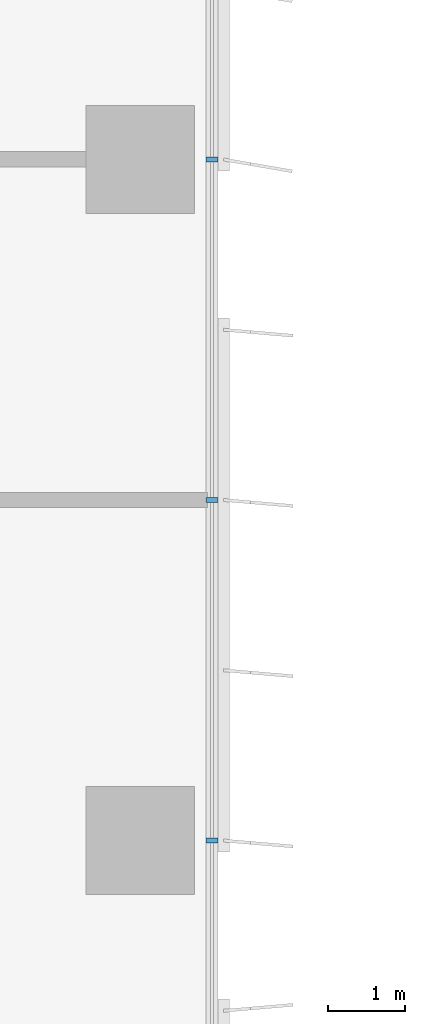
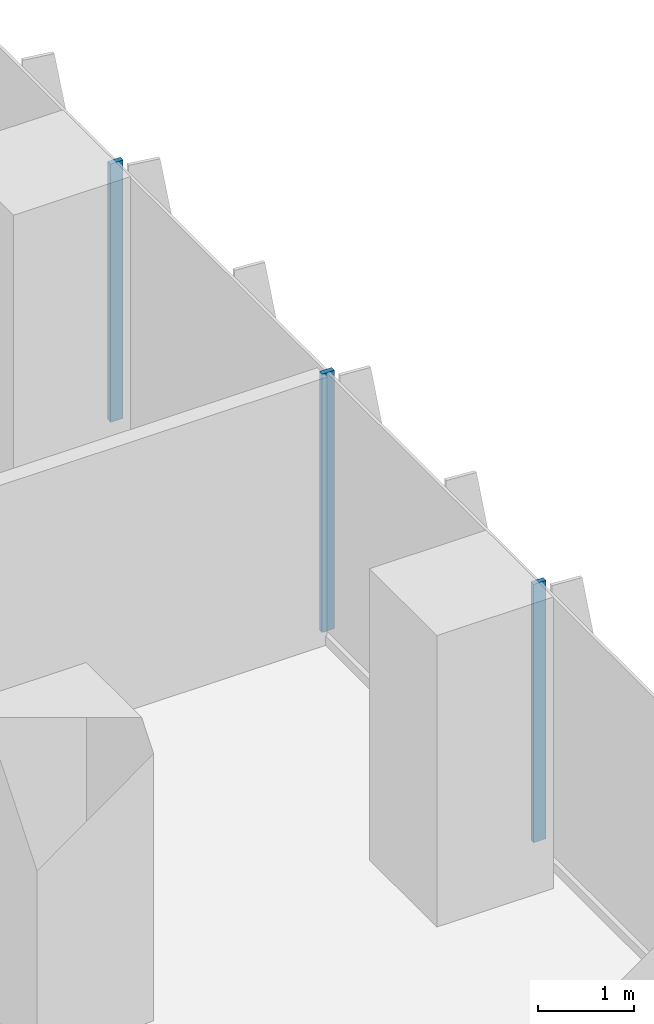
# One storey, part 7 of 24: 3 members, 1 element without a shape of its own.
"""IFC4 building model written with IfcOpenShell, lengths in metres."""

from ifc_helpers import new_model, si_unit, direction, frame, origin, origin_2d, place, context, subcontext, project, spatial, rectangle, extrude, source, transform, mapped, material, material_profile, profile_set, type_object, element, aggregate, save


model = new_model("IFC4")

# Units and contexts
model_context = context("Model", 3, precision=1e-05, world=origin(), true_north=direction((0.0, 1.0)))
body_context = subcontext(model_context, "Body", "Model", "MODEL_VIEW")
ifc_project = project(units=[si_unit("LENGTHUNIT", "METRE"), si_unit("AREAUNIT", "SQUARE_METRE"), si_unit("VOLUMEUNIT", "CUBIC_METRE"), si_unit("PLANEANGLEUNIT", "RADIAN"), si_unit("MASSUNIT", "GRAM", prefix="KILO")], contexts=[model_context])

# Site, building, storey
site_placement = place(None, origin())
site = spatial("IfcSite", under=ifc_project, at=site_placement, CompositionType="ELEMENT")
building_placement = place(site_placement, origin())
building = spatial("IfcBuilding", under=site, at=building_placement, Name="Kemantara Hotel Tower", CompositionType="ELEMENT")
storey_placement = place(building_placement, frame((0.0, 0.0, 48.800048828125)))
storey = spatial("IfcBuildingStorey", under=building, at=storey_placement, Name="L10", CompositionType="ELEMENT", Elevation=48.800048828125)

# Curtain wall, members
ifc_material_1 = material(Name="Low-E tinted double insulated glass 36 mm", Category="glass")
curtain_wall_type = type_object("IfcCurtainWallType", Name="TOWER CURTAIN WALL, FRONT FACES", PredefinedType="USERDEFINED", material=ifc_material_1)
curtain_wall_placement = place(storey_placement, origin())
curtain_wall = element("IfcCurtainWall", 1, at=curtain_wall_placement, inside=storey, type_object=curtain_wall_type, Name="CW4 L10 T1-R08-1", ObjectType="TOWER CURTAIN WALL, FRONT FACES", PredefinedType="USERDEFINED")
ifc_material_2 = material(Name="Aluminium 6063-T6 bronze anodised", Category="aluminium")
ifc_material_profile = material_profile(ifc_material_2, rectangle(XDim=0.14990234375, YDim=0.06005859375, at=origin_2d()), Name="TOWER CURTAIN WALL, FRONT FACES MULLION")
ifc_profile_set = profile_set([ifc_material_profile], Name="Aluminium 6063-T6 bronze anodised")
member_type = type_object("IfcMemberType", Name="TOWER CURTAIN WALL, FRONT FACES MULLION", PredefinedType="MULLION", material=ifc_profile_set)
shared_shape = source(origin(), body_context, "Body", "SweptSolid", [
    extrude(rectangle(XDim=0.14990234375, YDim=0.06005859375, at=origin_2d()), origin(), (0.0, 0.0, 1.0), 3.280029296875),
])
member_1_placement = place(storey_placement, frame((26.72509765625, 53.800048828125, 0.119873046875), z_axis=(0.0, 0.0, 1.0), x_axis=(-1.0, 0.0, 0.0)))
member_1 = element("IfcMember", 2, at=member_1_placement, type_object=member_type, Name="CW4 mullion T1-R08-1.8", PredefinedType="MULLION", context=body_context, shape_type="MappedRepresentation", body=[
    mapped(shared_shape, transform((0.0, 0.0, 0.0))),
])
member_2_placement = place(storey_placement, frame((26.72509765625, 58.199951171875, 0.119873046875), z_axis=(0.0, 0.0, 1.0), x_axis=(-1.0, 0.0, 0.0)))
member_2 = element("IfcMember", 3, at=member_2_placement, type_object=member_type, Name="CW4 mullion T1-R08-1.9", PredefinedType="MULLION", context=body_context, shape_type="MappedRepresentation", body=[
    mapped(shared_shape, transform((0.0, 0.0, 0.0))),
])
member_3_placement = place(storey_placement, frame((26.72509765625, 62.60009765625, 0.119873046875), z_axis=(0.0, 0.0, 1.0), x_axis=(-1.0, 0.0, 0.0)))
member_3 = element("IfcMember", 4, at=member_3_placement, type_object=member_type, Name="CW4 mullion T1-R08-1.10", PredefinedType="MULLION", context=body_context, shape_type="MappedRepresentation", body=[
    mapped(shared_shape, transform((0.0, 0.0, 0.0))),
])
aggregate(curtain_wall, [member_1, member_2, member_3])

save(model, "model.ifc")
